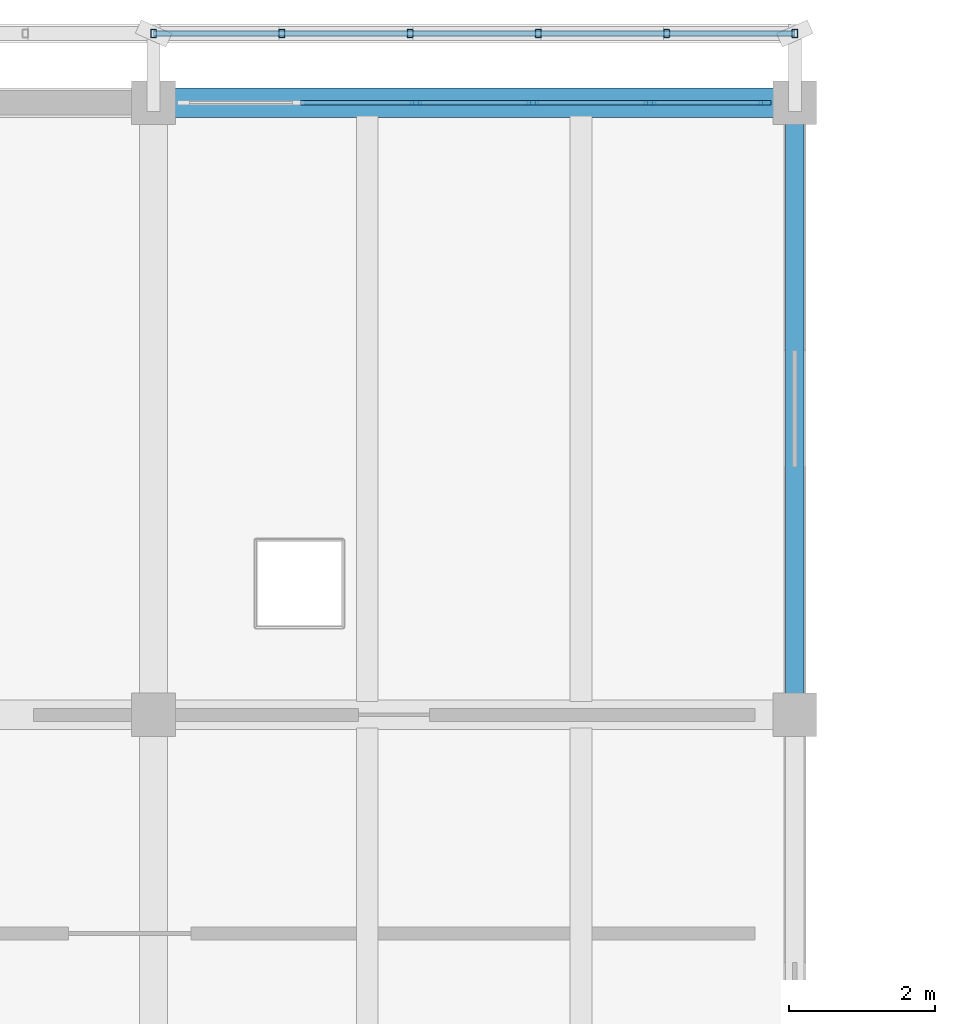
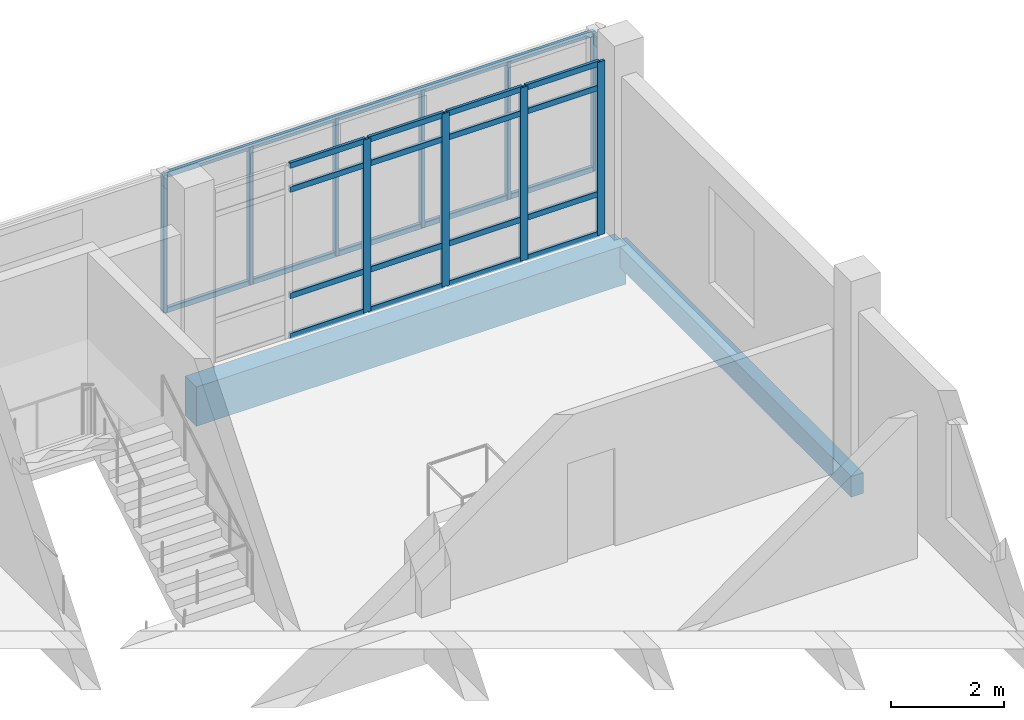
# One storey, part 89 of 137: 28 members, 2 beams, 1 element without a shape of its own.
"""IFC4 building model written with IfcOpenShell, lengths in metres."""

from ifc_helpers import new_model, si_unit, direction, frame, origin, origin_2d, place, context, subcontext, project, spatial, rectangle, hollow_rectangle, extrude, material, material_profile, profile_set, type_object, element, aggregate, save


model = new_model("IFC4")

# Units and contexts
model_context = context("Model", 3, precision=1e-05, world=origin(), true_north=direction((0.0, 1.0)))
body_context = subcontext(model_context, "Body", "Model", "MODEL_VIEW")
ifc_project = project(units=[si_unit("LENGTHUNIT", "METRE"), si_unit("AREAUNIT", "SQUARE_METRE"), si_unit("VOLUMEUNIT", "CUBIC_METRE"), si_unit("PLANEANGLEUNIT", "RADIAN"), si_unit("MASSUNIT", "GRAM", prefix="KILO")], contexts=[model_context])

# Site, building, storey
site_placement = place(None, origin())
site = spatial("IfcSite", under=ifc_project, at=site_placement, CompositionType="ELEMENT")
building_placement = place(site_placement, origin())
building = spatial("IfcBuilding", under=site, at=building_placement, Name="Cinderway Yard Community Centre", CompositionType="ELEMENT")
storey_placement = place(building_placement, frame((0.0, 0.0, 4.800048828125)))
storey = spatial("IfcBuildingStorey", under=building, at=storey_placement, Name="L01", CompositionType="ELEMENT", Elevation=4.800048828125)

# Curtain wall, members
ifc_material_1 = material(Name="Aluminium 6063-T6", Category="aluminium")
curtain_wall_type = type_object("IfcCurtainWallType", Name="ENV-CW-TYPE-27", PredefinedType="USERDEFINED", material=ifc_material_1)
curtain_wall_placement = place(storey_placement, origin())
curtain_wall = element("IfcCurtainWall", 1, at=curtain_wall_placement, inside=storey, type_object=curtain_wall_type, Name="V4 Street Curtain Wall ENV-CW-L01-ST-0138", ObjectType="GLAZED CURTAIN WALL", PredefinedType="USERDEFINED")
ifc_material_profile_1 = material_profile(ifc_material_1, rectangle(XDim=0.06005859375, YDim=0.159912109375, at=origin_2d()), Name="Aluminium 6063-T6")
ifc_profile_set_1 = profile_set([ifc_material_profile_1], Name="Aluminium 6063-T6")
member_type_1 = type_object("IfcMemberType", Name="ENV-CW-MULL-150", PredefinedType="MULLION", material=ifc_profile_set_1)
member_1_placement = place(storey_placement, frame((140.39599609375, 115.199951171875, 0.0), z_axis=(0.0, 0.0, 1.0), x_axis=(0.0, 1.0, 0.0)))
member_1 = element("IfcMember", 2, at=member_1_placement, type_object=member_type_1, Name="CW-27 mullion 3", PredefinedType="MULLION", context=body_context, shape_type="SweptSolid", body=[
    extrude(rectangle(XDim=0.06005859375, YDim=0.159912109375, at=origin_2d()), origin(), (0.0, 0.0, 1.0), 3.75),
])
member_2_placement = place(storey_placement, frame((142.00390625, 115.199951171875, 0.0), z_axis=(0.0, 0.0, 1.0), x_axis=(0.0, 1.0, 0.0)))
member_2 = element("IfcMember", 3, at=member_2_placement, type_object=member_type_1, Name="CW-27 mullion 4", PredefinedType="MULLION", context=body_context, shape_type="SweptSolid", body=[
    extrude(rectangle(XDim=0.06005859375, YDim=0.159912109375, at=origin_2d()), origin(), (0.0, 0.0, 1.0), 3.75),
])
member_3_placement = place(storey_placement, frame((143.612060546875, 115.199951171875, 0.0), z_axis=(0.0, 0.0, 1.0), x_axis=(0.0, 1.0, 0.0)))
member_3 = element("IfcMember", 4, at=member_3_placement, type_object=member_type_1, Name="CW-27 mullion 5", PredefinedType="MULLION", context=body_context, shape_type="SweptSolid", body=[
    extrude(rectangle(XDim=0.06005859375, YDim=0.159912109375, at=origin_2d()), origin(), (0.0, 0.0, 1.0), 3.75),
])
member_4_placement = place(storey_placement, frame((145.18994140625, 115.199951171875, 0.0), z_axis=(0.0, 0.0, 1.0), x_axis=(0.0, 1.0, 0.0)))
member_4 = element("IfcMember", 5, at=member_4_placement, type_object=member_type_1, Name="CW-27 mullion 6", PredefinedType="MULLION", context=body_context, shape_type="SweptSolid", body=[
    extrude(rectangle(XDim=0.06005859375, YDim=0.159912109375, at=origin_2d()), origin(), (0.0, 0.0, 1.0), 3.75),
])
ifc_material_profile_2 = material_profile(ifc_material_1, rectangle(XDim=0.06005859375, YDim=0.1201171875, at=origin_2d()), Name="Aluminium 6063-T6")
ifc_profile_set_2 = profile_set([ifc_material_profile_2], Name="Aluminium 6063-T6")
member_type_2 = type_object("IfcMemberType", Name="ENV-CW-TRAN-110", PredefinedType="USERDEFINED", material=ifc_profile_set_2)
member_5_placement = place(storey_placement, frame((138.818115234375, 115.199951171875, 0.030029296875), z_axis=(1.0, 0.0, 0.0), x_axis=(0.0, 1.0, 0.0)))
member_5 = element("IfcMember", 6, at=member_5_placement, type_object=member_type_2, Name="CW-27 transom 2.1", ObjectType="TRANSOM", PredefinedType="USERDEFINED", context=body_context, shape_type="SweptSolid", body=[
    extrude(rectangle(XDim=0.06005859375, YDim=0.1201171875, at=origin_2d()), origin(), (0.0, 0.0, 1.0), 1.5478515625),
])
member_6_placement = place(storey_placement, frame((138.818115234375, 115.199951171875, 0.89990234375), z_axis=(1.0, 0.0, 0.0), x_axis=(0.0, 1.0, 0.0)))
member_6 = element("IfcMember", 7, at=member_6_placement, type_object=member_type_2, Name="CW-27 transom 2.2", ObjectType="TRANSOM", PredefinedType="USERDEFINED", context=body_context, shape_type="SweptSolid", body=[
    extrude(rectangle(XDim=0.06005859375, YDim=0.1201171875, at=origin_2d()), origin(), (0.0, 0.0, 1.0), 1.5478515625),
])
member_7_placement = place(storey_placement, frame((138.818115234375, 115.199951171875, 3.199951171875), z_axis=(1.0, 0.0, 0.0), x_axis=(0.0, 1.0, 0.0)))
member_7 = element("IfcMember", 8, at=member_7_placement, type_object=member_type_2, Name="CW-27 transom 2.3", ObjectType="TRANSOM", PredefinedType="USERDEFINED", context=body_context, shape_type="SweptSolid", body=[
    extrude(rectangle(XDim=0.06005859375, YDim=0.1201171875, at=origin_2d()), origin(), (0.0, 0.0, 1.0), 1.5478515625),
])
member_8_placement = place(storey_placement, frame((138.818115234375, 115.199951171875, 3.719970703125), z_axis=(1.0, 0.0, 0.0), x_axis=(0.0, 1.0, 0.0)))
member_8 = element("IfcMember", 9, at=member_8_placement, type_object=member_type_2, Name="CW-27 transom 2.4", ObjectType="TRANSOM", PredefinedType="USERDEFINED", context=body_context, shape_type="SweptSolid", body=[
    extrude(rectangle(XDim=0.06005859375, YDim=0.1201171875, at=origin_2d()), origin(), (0.0, 0.0, 1.0), 1.5478515625),
])
member_9_placement = place(storey_placement, frame((140.426025390625, 115.199951171875, 0.030029296875), z_axis=(1.0, 0.0, 0.0), x_axis=(0.0, 1.0, 0.0)))
member_9 = element("IfcMember", 10, at=member_9_placement, type_object=member_type_2, Name="CW-27 transom 3.1", ObjectType="TRANSOM", PredefinedType="USERDEFINED", context=body_context, shape_type="SweptSolid", body=[
    extrude(rectangle(XDim=0.06005859375, YDim=0.1201171875, at=origin_2d()), origin(), (0.0, 0.0, 1.0), 1.548095703125),
])
member_10_placement = place(storey_placement, frame((140.426025390625, 115.199951171875, 0.89990234375), z_axis=(1.0, 0.0, 0.0), x_axis=(0.0, 1.0, 0.0)))
member_10 = element("IfcMember", 11, at=member_10_placement, type_object=member_type_2, Name="CW-27 transom 3.2", ObjectType="TRANSOM", PredefinedType="USERDEFINED", context=body_context, shape_type="SweptSolid", body=[
    extrude(rectangle(XDim=0.06005859375, YDim=0.1201171875, at=origin_2d()), origin(), (0.0, 0.0, 1.0), 1.548095703125),
])
member_11_placement = place(storey_placement, frame((140.426025390625, 115.199951171875, 3.199951171875), z_axis=(1.0, 0.0, 0.0), x_axis=(0.0, 1.0, 0.0)))
member_11 = element("IfcMember", 12, at=member_11_placement, type_object=member_type_2, Name="CW-27 transom 3.3", ObjectType="TRANSOM", PredefinedType="USERDEFINED", context=body_context, shape_type="SweptSolid", body=[
    extrude(rectangle(XDim=0.06005859375, YDim=0.1201171875, at=origin_2d()), origin(), (0.0, 0.0, 1.0), 1.548095703125),
])
member_12_placement = place(storey_placement, frame((140.426025390625, 115.199951171875, 3.719970703125), z_axis=(1.0, 0.0, 0.0), x_axis=(0.0, 1.0, 0.0)))
member_12 = element("IfcMember", 13, at=member_12_placement, type_object=member_type_2, Name="CW-27 transom 3.4", ObjectType="TRANSOM", PredefinedType="USERDEFINED", context=body_context, shape_type="SweptSolid", body=[
    extrude(rectangle(XDim=0.06005859375, YDim=0.1201171875, at=origin_2d()), origin(), (0.0, 0.0, 1.0), 1.548095703125),
])
member_13_placement = place(storey_placement, frame((142.033935546875, 115.199951171875, 0.030029296875), z_axis=(1.0, 0.0, 0.0), x_axis=(0.0, 1.0, 0.0)))
member_13 = element("IfcMember", 14, at=member_13_placement, type_object=member_type_2, Name="CW-27 transom 4.1", ObjectType="TRANSOM", PredefinedType="USERDEFINED", context=body_context, shape_type="SweptSolid", body=[
    extrude(rectangle(XDim=0.06005859375, YDim=0.1201171875, at=origin_2d()), origin(), (0.0, 0.0, 1.0), 1.548095703125),
])
member_14_placement = place(storey_placement, frame((142.033935546875, 115.199951171875, 0.89990234375), z_axis=(1.0, 0.0, 0.0), x_axis=(0.0, 1.0, 0.0)))
member_14 = element("IfcMember", 15, at=member_14_placement, type_object=member_type_2, Name="CW-27 transom 4.2", ObjectType="TRANSOM", PredefinedType="USERDEFINED", context=body_context, shape_type="SweptSolid", body=[
    extrude(rectangle(XDim=0.06005859375, YDim=0.1201171875, at=origin_2d()), origin(), (0.0, 0.0, 1.0), 1.548095703125),
])
member_15_placement = place(storey_placement, frame((142.033935546875, 115.199951171875, 3.199951171875), z_axis=(1.0, 0.0, 0.0), x_axis=(0.0, 1.0, 0.0)))
member_15 = element("IfcMember", 16, at=member_15_placement, type_object=member_type_2, Name="CW-27 transom 4.3", ObjectType="TRANSOM", PredefinedType="USERDEFINED", context=body_context, shape_type="SweptSolid", body=[
    extrude(rectangle(XDim=0.06005859375, YDim=0.1201171875, at=origin_2d()), origin(), (0.0, 0.0, 1.0), 1.548095703125),
])
member_16_placement = place(storey_placement, frame((142.033935546875, 115.199951171875, 3.719970703125), z_axis=(1.0, 0.0, 0.0), x_axis=(0.0, 1.0, 0.0)))
member_16 = element("IfcMember", 17, at=member_16_placement, type_object=member_type_2, Name="CW-27 transom 4.4", ObjectType="TRANSOM", PredefinedType="USERDEFINED", context=body_context, shape_type="SweptSolid", body=[
    extrude(rectangle(XDim=0.06005859375, YDim=0.1201171875, at=origin_2d()), origin(), (0.0, 0.0, 1.0), 1.548095703125),
])
member_17_placement = place(storey_placement, frame((143.64208984375, 115.199951171875, 0.030029296875), z_axis=(1.0, 0.0, 0.0), x_axis=(0.0, 1.0, 0.0)))
member_17 = element("IfcMember", 18, at=member_17_placement, type_object=member_type_2, Name="CW-27 transom 5.1", ObjectType="TRANSOM", PredefinedType="USERDEFINED", context=body_context, shape_type="SweptSolid", body=[
    extrude(rectangle(XDim=0.06005859375, YDim=0.1201171875, at=origin_2d()), origin(), (0.0, 0.0, 1.0), 1.517822265625),
])
member_18_placement = place(storey_placement, frame((143.64208984375, 115.199951171875, 0.89990234375), z_axis=(1.0, 0.0, 0.0), x_axis=(0.0, 1.0, 0.0)))
member_18 = element("IfcMember", 19, at=member_18_placement, type_object=member_type_2, Name="CW-27 transom 5.2", ObjectType="TRANSOM", PredefinedType="USERDEFINED", context=body_context, shape_type="SweptSolid", body=[
    extrude(rectangle(XDim=0.06005859375, YDim=0.1201171875, at=origin_2d()), origin(), (0.0, 0.0, 1.0), 1.517822265625),
])
member_19_placement = place(storey_placement, frame((143.64208984375, 115.199951171875, 3.199951171875), z_axis=(1.0, 0.0, 0.0), x_axis=(0.0, 1.0, 0.0)))
member_19 = element("IfcMember", 20, at=member_19_placement, type_object=member_type_2, Name="CW-27 transom 5.3", ObjectType="TRANSOM", PredefinedType="USERDEFINED", context=body_context, shape_type="SweptSolid", body=[
    extrude(rectangle(XDim=0.06005859375, YDim=0.1201171875, at=origin_2d()), origin(), (0.0, 0.0, 1.0), 1.517822265625),
])
member_20_placement = place(storey_placement, frame((143.64208984375, 115.199951171875, 3.719970703125), z_axis=(1.0, 0.0, 0.0), x_axis=(0.0, 1.0, 0.0)))
member_20 = element("IfcMember", 21, at=member_20_placement, type_object=member_type_2, Name="CW-27 transom 5.4", ObjectType="TRANSOM", PredefinedType="USERDEFINED", context=body_context, shape_type="SweptSolid", body=[
    extrude(rectangle(XDim=0.06005859375, YDim=0.1201171875, at=origin_2d()), origin(), (0.0, 0.0, 1.0), 1.517822265625),
])
aggregate(curtain_wall, [member_1, member_2, member_3, member_4, member_5, member_6, member_7, member_8, member_9, member_10, member_11, member_12, member_13, member_14, member_15, member_16, member_17, member_18, member_19, member_20])

# Members
ifc_material_2 = material(Name="Steel S355", Category="steel")
ifc_material_profile_3 = material_profile(ifc_material_2, hollow_rectangle(XDim=0.080078125, YDim=0.1201171875, WallThickness=0.00634765625, InnerFilletRadius=0.00634765625, OuterFilletRadius=0.0126953125, at=origin_2d()), Name="Steel S355")
ifc_profile_set_3 = profile_set([ifc_material_profile_3], Name="Steel S355")
member_type_3 = type_object("IfcMemberType", Name="ENV-MEM-SCREEN-RAIL-120", PredefinedType="STRINGER", material=ifc_profile_set_3)
member_21_placement = place(storey_placement, frame((136.800048828125, 116.14990234375, 0.68994140625), z_axis=(0.0, 0.0, 1.0), x_axis=(1.0, 0.0, 0.0)))
element("IfcMember", 22, at=member_21_placement, inside=storey, type_object=member_type_3, Name="Screen vertical mullion 0088", PredefinedType="STRINGER", context=body_context, shape_type="SweptSolid", body=[
    extrude(hollow_rectangle(XDim=0.080078125, YDim=0.1201171875, WallThickness=0.00634765625, InnerFilletRadius=0.00634765625, OuterFilletRadius=0.0126953125, at=origin_2d()), origin(), (0.0, 0.0, 1.0), 2.969970703125),
])
for number, where, z_axis, x_axis, name in (
    (23, (136.800048828125, 116.14990234375, 0.7099609375), (1.0, 0.0, 0.0), (0.0, 1.0, 0.0), "Screen support rail 0090-BOT"),
    (24, (136.800048828125, 116.14990234375, 3.639892578125), (1.0, 0.0, 0.0), (0.0, 1.0, 0.0), "Screen support rail 0091-TOP"),
):
    element("IfcMember", number, at=place(storey_placement, frame(where, z_axis=z_axis, x_axis=x_axis)), inside=storey, type_object=member_type_3, Name=name, PredefinedType="STRINGER", context=body_context, shape_type="SweptSolid", body=[
        extrude(hollow_rectangle(XDim=0.080078125, YDim=0.1201171875, WallThickness=0.00634765625, InnerFilletRadius=0.00634765625, OuterFilletRadius=0.0126953125, at=origin_2d()), origin(), (0.0, 0.0, 1.0), 8.800048828125),
    ])
for number, where, z_axis, x_axis, name in (
    (25, (138.56005859375, 116.14990234375, 0.68994140625), (0.0, 0.0, 1.0), (1.0, 0.0, 0.0), "Screen vertical mullion 0092"),
    (26, (140.320068359375, 116.14990234375, 0.68994140625), (0.0, 0.0, 1.0), (1.0, 0.0, 0.0), "Screen vertical mullion 0093"),
    (27, (142.080078125, 116.14990234375, 0.68994140625), (0.0, 0.0, 1.0), (1.0, 0.0, 0.0), "Screen vertical mullion 0094"),
    (28, (143.840087890625, 116.14990234375, 0.68994140625), (0.0, 0.0, 1.0), (1.0, 0.0, 0.0), "Screen vertical mullion 0095"),
    (29, (145.60009765625, 116.14990234375, 0.68994140625), (0.0, 0.0, 1.0), (1.0, 0.0, 0.0), "Screen vertical mullion 0096"),
):
    element("IfcMember", number, at=place(storey_placement, frame(where, z_axis=z_axis, x_axis=x_axis)), inside=storey, type_object=member_type_3, Name=name, PredefinedType="STRINGER", context=body_context, shape_type="SweptSolid", body=[
        extrude(hollow_rectangle(XDim=0.080078125, YDim=0.1201171875, WallThickness=0.00634765625, InnerFilletRadius=0.00634765625, OuterFilletRadius=0.0126953125, at=origin_2d()), origin(), (0.0, 0.0, 1.0), 2.969970703125),
    ])

# Beams
ifc_material_3 = material(Name="Concrete C40/50", Category="concrete")
ifc_material_profile_4 = material_profile(ifc_material_3, rectangle(XDim=0.25, YDim=0.449951171875, at=origin_2d()), Name="Concrete C40/50")
ifc_profile_set_4 = profile_set([ifc_material_profile_4], Name="Concrete C40/50")
beam_type_1 = type_object("IfcBeamType", Name="STR-BM-RC250X450", PredefinedType="SPANDREL", material=ifc_profile_set_4)
beam_1_placement = place(storey_placement, frame((145.60009765625, 106.800048828125, -0.485107421875), z_axis=(0.0, 1.0, 0.0), x_axis=(-1.0, 0.0, 0.0)))
element("IfcBeam", 30, at=beam_1_placement, inside=storey, type_object=beam_type_1, Name="Transverse girder STR-BM-L01-SP02-0258", PredefinedType="SPANDREL", context=body_context, shape_type="SweptSolid", body=[
    extrude(rectangle(XDim=0.25, YDim=0.449951171875, at=origin_2d()), origin(), (0.0, 0.0, 1.0), 8.39990234375),
])
ifc_material_profile_5 = material_profile(ifc_material_3, rectangle(XDim=0.39990234375, YDim=0.85009765625, at=origin_2d()), Name="Concrete C40/50")
ifc_profile_set_5 = profile_set([ifc_material_profile_5], Name="Concrete C40/50")
beam_type_2 = type_object("IfcBeamType", Name="STR-BM-RC400X850", PredefinedType="BEAM", material=ifc_profile_set_5)
beam_2_placement = place(storey_placement, frame((136.800048828125, 115.199951171875, -0.68505859375), z_axis=(1.0, 0.0, 0.0), x_axis=(0.0, 1.0, 0.0)))
element("IfcBeam", 31, at=beam_2_placement, inside=storey, type_object=beam_type_2, Name="Primary girder STR-BM-L01-BG04-0219", PredefinedType="BEAM", context=body_context, shape_type="SweptSolid", body=[
    extrude(rectangle(XDim=0.39990234375, YDim=0.85009765625, at=origin_2d()), origin(), (0.0, 0.0, 1.0), 8.800048828125),
])

save(model, "model.ifc")
